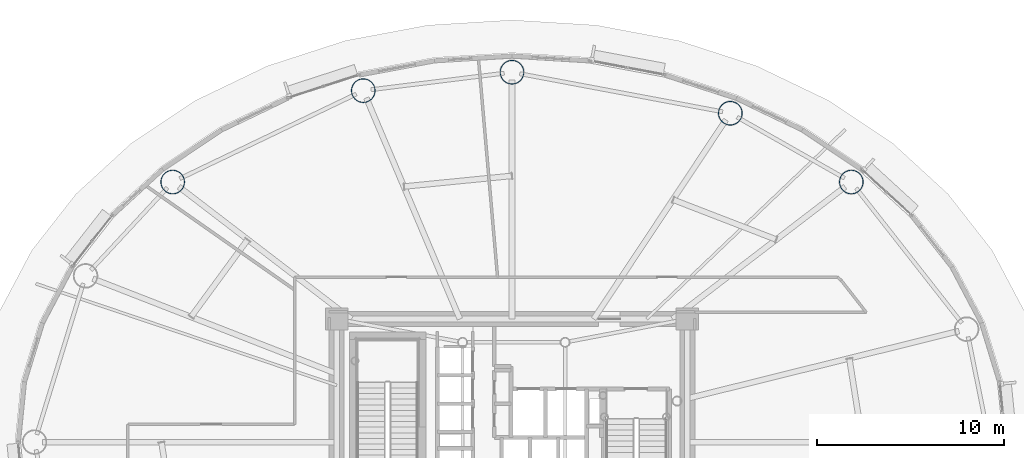
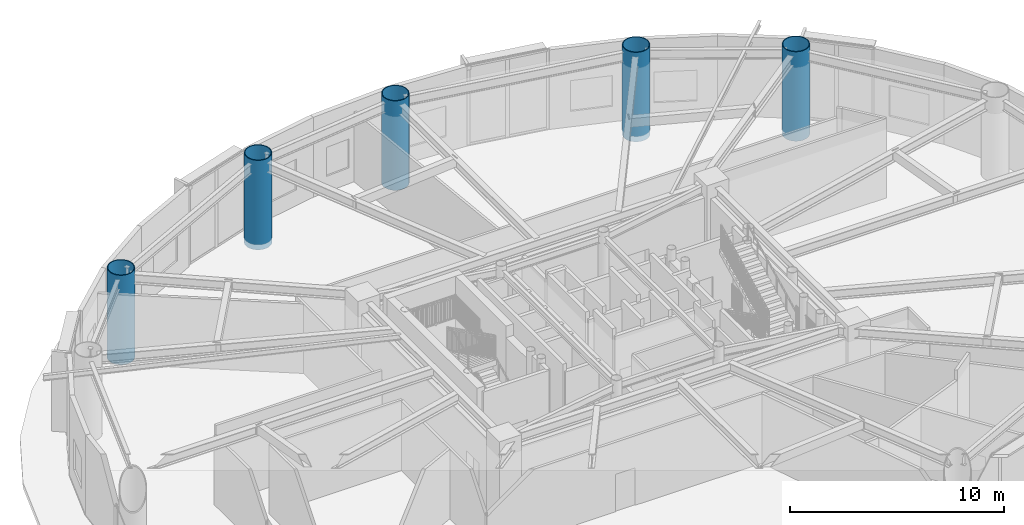
# One storey, part 3 of 38: 5 columns.
"""IFC4 building model written with IfcOpenShell, lengths in metres."""

from ifc_helpers import new_model, si_unit, direction, frame, origin, origin_2d, place, context, subcontext, project, spatial, hollow_circle, extrude, material, material_profile, profile_set, type_object, element, save


model = new_model("IFC4")

# Units and contexts
model_context = context("Model", 3, precision=1e-05, world=origin(), true_north=direction((0.0, 1.0)))
body_context = subcontext(model_context, "Body", "Model", "MODEL_VIEW")
ifc_project = project(units=[si_unit("LENGTHUNIT", "METRE"), si_unit("AREAUNIT", "SQUARE_METRE"), si_unit("VOLUMEUNIT", "CUBIC_METRE"), si_unit("PLANEANGLEUNIT", "RADIAN"), si_unit("MASSUNIT", "GRAM", prefix="KILO")], contexts=[model_context])

# Site, building, storey
site_placement = place(None, origin())
site = spatial("IfcSite", under=ifc_project, at=site_placement, CompositionType="ELEMENT")
building_placement = place(site_placement, origin())
building = spatial("IfcBuilding", under=site, at=building_placement, Name="Linh Dai School and Residence Tower", CompositionType="ELEMENT")
storey_placement = place(building_placement, frame((0.0, 0.0, 151.35009765625)))
storey = spatial("IfcBuildingStorey", under=building, at=storey_placement, Name="L36", CompositionType="ELEMENT", Elevation=151.35009765625)

# Columns
ifc_material = material(Name="Structural Steel S355JR", Category="steel")
ifc_material_profile = material_profile(ifc_material, hollow_circle(Radius=0.64990234375, WallThickness=0.0400390625, at=origin_2d()), Name="CHS 1300x40")
ifc_profile_set = profile_set([ifc_material_profile], Name="Structural Steel S355JR")
column_type = type_object("IfcColumnType", Name="COL-MC4", PredefinedType="COLUMN", material=ifc_profile_set)
for number, where, z_axis, x_axis, name in (
    (1, (54.1923828125, 40.941650390625, -0.300048828125), (0.0, 0.0, 1.0), (1.0, 0.0, 0.0), "L36 Perimeter CFT Mega-Column MC03"),
    (2, (47.70556640625, 44.630859375, -0.300048828125), (0.0, 0.0, 1.0), (1.0, 0.0, 0.0), "L36 Perimeter CFT Mega-Column MC04"),
    (3, (36.0, 46.830078125, -0.300048828125), (0.0, 0.0, 1.0), (1.0, 0.0, 0.0), "L36 Perimeter CFT Mega-Column MC05"),
    (4, (28.026611328125, 45.84130859375, -0.300048828125), (0.0, 0.0, 1.0), (1.0, 0.0, 0.0), "L36 Perimeter CFT Mega-Column MC06"),
    (5, (17.8076171875, 40.941650390625, -0.300048828125), (0.0, 0.0, 1.0), (1.0, 0.0, 0.0), "L36 Perimeter CFT Mega-Column MC07"),
):
    element("IfcColumn", number, at=place(storey_placement, frame(where, z_axis=z_axis, x_axis=x_axis)), inside=storey, type_object=column_type, Name=name, PredefinedType="COLUMN", context=body_context, shape_type="SweptSolid", body=[
        extrude(hollow_circle(Radius=0.64990234375, WallThickness=0.0400390625, at=origin_2d()), origin(), (0.0, 0.0, 1.0), 5.099853515625),
    ])

save(model, "model.ifc")
